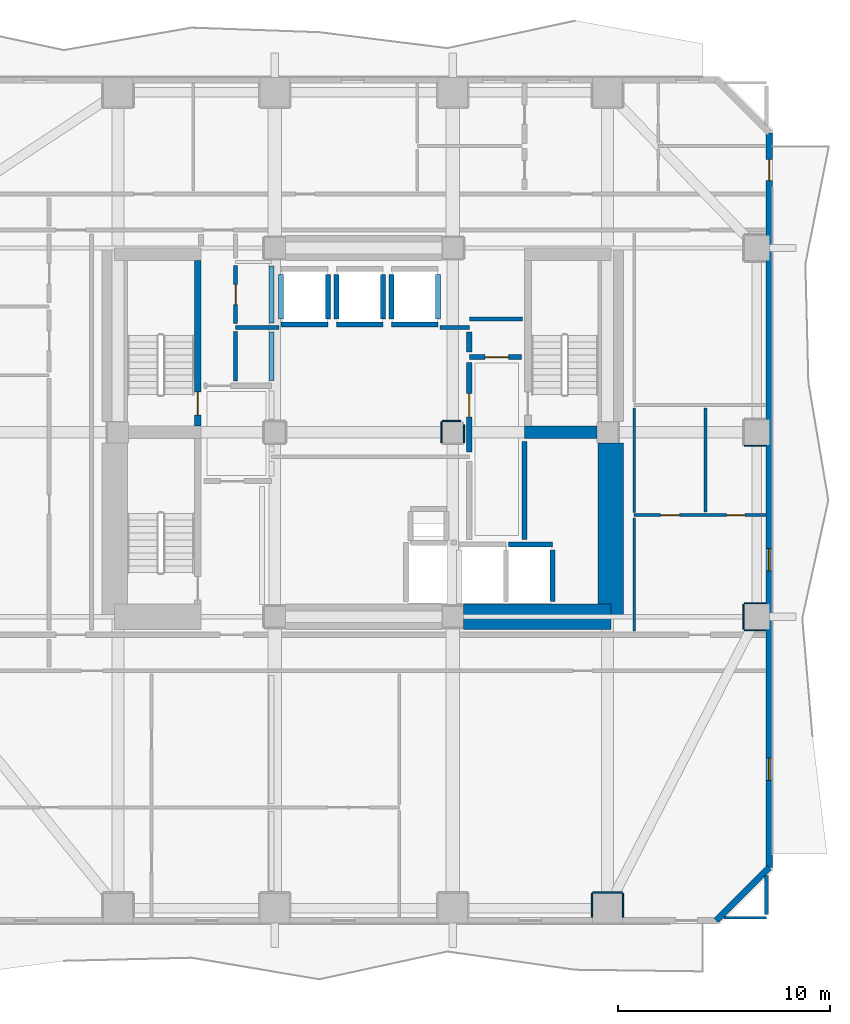
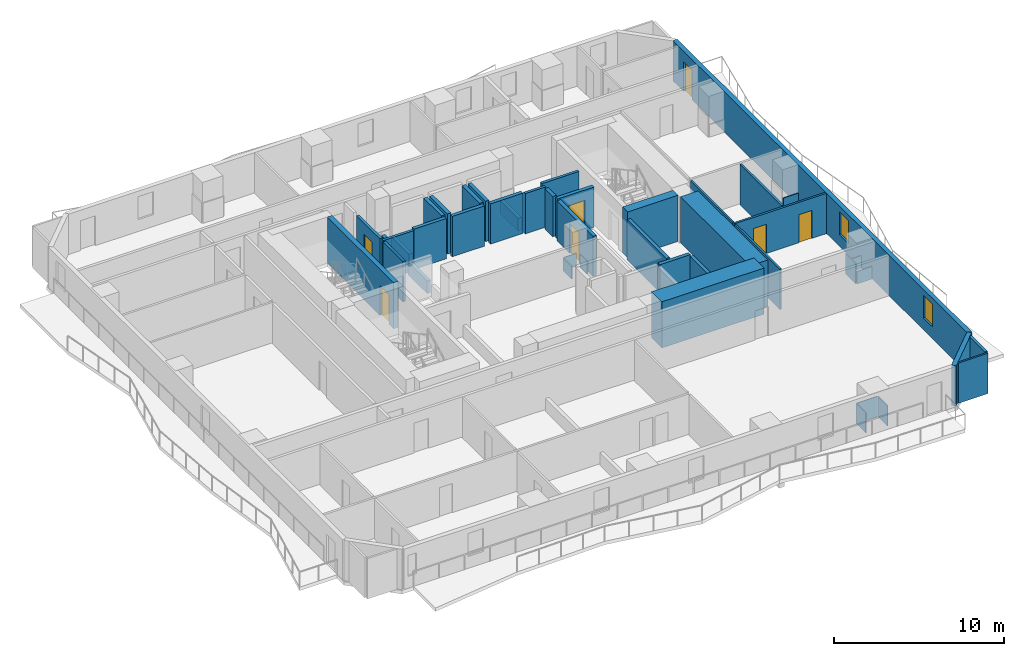
# One storey, part 4 of 10: 44 walls, 7 doors, 2 windows, 9 openings.
"""IFC4 building model written with IfcOpenShell, lengths in metres."""

from ifc_helpers import new_model, si_unit, direction, frame, frame_2d, origin, place, context, subcontext, project, spatial, rectangle, extrude, material, layer, layer_set, type_object, element, fill, save


model = new_model("IFC4")

# Units and contexts
model_context = context("Model", 3, precision=1e-05, world=origin(), true_north=direction((0.0, 1.0)))
body_context = subcontext(model_context, "Body", "Model", "MODEL_VIEW")
ifc_project = project(units=[si_unit("LENGTHUNIT", "METRE"), si_unit("AREAUNIT", "SQUARE_METRE"), si_unit("VOLUMEUNIT", "CUBIC_METRE"), si_unit("PLANEANGLEUNIT", "RADIAN"), si_unit("MASSUNIT", "GRAM", prefix="KILO")], contexts=[model_context])

# Site, building, storey
site_placement = place(None, origin())
site = spatial("IfcSite", under=ifc_project, at=site_placement, CompositionType="ELEMENT")
building_placement = place(site_placement, origin())
building = spatial("IfcBuilding", under=site, at=building_placement, Name="Solanera Arch Residences", CompositionType="ELEMENT")
storey_placement = place(building_placement, frame((0.0, 0.0, 38.60009765625)))
storey = spatial("IfcBuildingStorey", under=building, at=storey_placement, Name="L10", CompositionType="ELEMENT", Elevation=38.60009765625)

# Walls
ifc_material_1 = material(Name="Fire-Rated Gypsum Stud Partition", Category="gypsum")
ifc_layer_1 = layer(ifc_material_1, 0.06005859375)
ifc_layer_set_1 = layer_set([ifc_layer_1], Name="Fire-Rated Gypsum Stud Partition")
wall_type_1 = type_object("IfcWallType", Name="Column Acoustic Furring Wall 60", PredefinedType="PARTITIONING", material=ifc_layer_set_1)
wall_1_placement = place(storey_placement, frame((28.699951171875, 31.23193359375, 0.0), z_axis=(0.0, 0.0, 1.0), x_axis=(1.0, 0.0, 0.0)))
element("IfcWall", 1, at=wall_1_placement, inside=storey, type_object=wall_type_1, Name="L10 Column Furring 8N", PredefinedType="PARTITIONING", context=body_context, shape_type="SweptSolid", body=[
    extrude(rectangle(XDim=0.87109375, YDim=0.06005859375, at=frame_2d((0.435546875, 0.0))), origin(), (0.0, 0.0, 1.0), 0.90478515625),
])
wall_2_placement = place(storey_placement, frame((28.66796875, 30.199951171875, 0.0), z_axis=(0.0, 0.0, 1.0), x_axis=(0.0, 1.0, 0.0)))
element("IfcWall", 2, at=wall_2_placement, inside=storey, type_object=wall_type_1, Name="L10 Column Furring 8W", PredefinedType="PARTITIONING", context=body_context, shape_type="SweptSolid", body=[
    extrude(rectangle(XDim=1.0, YDim=0.06005859375, at=frame_2d((0.5, 0.0))), origin(), (0.0, 0.0, 1.0), 0.90478515625),
])
wall_3_placement = place(storey_placement, frame((29.73193359375, 30.199951171875, 0.0), z_axis=(0.0, 0.0, 1.0), x_axis=(0.0, 1.0, 0.0)))
element("IfcWall", 3, at=wall_3_placement, inside=storey, type_object=wall_type_1, Name="L10 Column Furring 8E", PredefinedType="PARTITIONING", context=body_context, shape_type="SweptSolid", body=[
    extrude(rectangle(XDim=0.85205078125, YDim=0.06005859375, at=frame_2d((0.426025390625, 0.0))), origin(), (0.0, 0.0, 1.0), 0.90478515625),
])
wall_4_placement = place(storey_placement, frame((35.800048828125, 8.98193359375, 0.0), z_axis=(0.0, 0.0, 1.0), x_axis=(1.0, 0.0, 0.0)))
element("IfcWall", 4, at=wall_4_placement, inside=storey, type_object=wall_type_1, Name="L10 Column Furring 15N", PredefinedType="PARTITIONING", context=body_context, shape_type="SweptSolid", body=[
    extrude(rectangle(XDim=1.39990234375, YDim=0.06005859375, at=frame_2d((0.699951171875, 0.0))), origin(), (0.0, 0.0, 1.0), 1.449951171875),
])
for number, where, z_axis, x_axis, name in (
    (5, (35.76806640625, 7.830078125, 0.0), (0.0, 0.0, 1.0), (0.0, 1.0, 0.0), "L10 Column Furring 15W"),
    (6, (37.23193359375, 7.830078125, 0.0), (0.0, 0.0, 1.0), (0.0, 1.0, 0.0), "L10 Column Furring 15E"),
):
    element("IfcWall", number, at=place(storey_placement, frame(where, z_axis=z_axis, x_axis=x_axis)), inside=storey, type_object=wall_type_1, Name=name, PredefinedType="PARTITIONING", context=body_context, shape_type="SweptSolid", body=[
        extrude(rectangle(XDim=1.119873046875, YDim=0.06005859375, at=frame_2d((0.56005859375, 0.0))), origin(), (0.0, 0.0, 1.0), 1.449951171875),
    ])
for number, where, z_axis, x_axis, name in (
    (7, (42.949951171875, 21.367919921875, 0.0), (0.0, 0.0, 1.0), (1.0, 0.0, 0.0), "L10 Column Furring 18S"),
    (8, (42.949951171875, 22.632080078125, 0.0), (0.0, 0.0, 1.0), (1.0, 0.0, 0.0), "L10 Column Furring 18N"),
):
    element("IfcWall", number, at=place(storey_placement, frame(where, z_axis=z_axis, x_axis=x_axis)), inside=storey, type_object=wall_type_1, Name=name, PredefinedType="PARTITIONING", context=body_context, shape_type="SweptSolid", body=[
        extrude(rectangle(XDim=1.02001953125, YDim=0.06005859375, at=frame_2d((0.510009765625, 0.0))), origin(), (0.0, 0.0, 1.0), 0.90478515625),
    ])
wall_5_placement = place(storey_placement, frame((42.91796875, 21.39990234375, 0.0), z_axis=(0.0, 0.0, 1.0), x_axis=(0.0, 1.0, 0.0)))
element("IfcWall", 9, at=wall_5_placement, inside=storey, type_object=wall_type_1, Name="L10 Column Furring 18W", PredefinedType="PARTITIONING", context=body_context, shape_type="SweptSolid", body=[
    extrude(rectangle(XDim=1.2001953125, YDim=0.06005859375, at=frame_2d((0.60009765625, 0.0))), origin(), (0.0, 0.0, 1.0), 1.449951171875),
])
wall_6_placement = place(storey_placement, frame((42.949951171875, 30.068115234375, 0.0), z_axis=(0.0, 0.0, 1.0), x_axis=(1.0, 0.0, 0.0)))
element("IfcWall", 10, at=wall_6_placement, inside=storey, type_object=wall_type_1, Name="L10 Column Furring 20S", PredefinedType="PARTITIONING", context=body_context, shape_type="SweptSolid", body=[
    extrude(rectangle(XDim=1.02001953125, YDim=0.06005859375, at=frame_2d((0.510009765625, 0.0))), origin(), (0.0, 0.0, 1.0), 0.90478515625),
])
ifc_material_2 = material(Name="Concrete C55/67 (f'c = 60 MPa)", Category="concrete")
ifc_layer_2 = layer(ifc_material_2, 1.199951171875)
ifc_layer_set_2 = layer_set([ifc_layer_2], Name="Concrete C55/67 (f'c = 60 MPa)")
wall_type_2 = type_object("IfcWallType", Name="Core Shear Wall CW-1200", PredefinedType="SHEAR", material=ifc_layer_set_2)
wall_7_placement = place(storey_placement, frame((36.659912109375, 22.0, 0.0), z_axis=(0.0, 0.0, 1.0), x_axis=(0.0, 1.0, 0.0)))
element("IfcWall", 11, at=wall_7_placement, inside=storey, type_object=wall_type_2, Name="L10 East Core South Shear Wall", PredefinedType="SHEAR", context=body_context, shape_type="SweptSolid", body=[
    extrude(rectangle(XDim=8.195068359375, YDim=1.199951171875, at=frame_2d((4.09765625, 0.0))), origin(), (0.0, 0.0, 1.0), 3.31982421875),
])
wall_8_placement = place(storey_placement, frame((29.705078125, 22.0, 0.0), z_axis=(0.0, 0.0, 1.0), x_axis=(1.0, 0.0, 0.0)))
element("IfcWall", 12, at=wall_8_placement, inside=storey, type_object=wall_type_2, Name="L10 South-East Core Shear Wall", PredefinedType="SHEAR", context=body_context, shape_type="SweptSolid", body=[
    extrude(rectangle(XDim=6.954833984375, YDim=1.199951171875, at=frame_2d((3.4775390625, 0.0))), origin(), (0.0, 0.0, 1.0), 3.31982421875),
])

# Wall, opening, door
ifc_material_3 = material(Name="Concrete C40/50 (f'c = 45 MPa)", Category="concrete")
ifc_layer_3 = layer(ifc_material_3, 0.320068359375)
ifc_layer_set_3 = layer_set([ifc_layer_3], Name="Concrete C40/50 (f'c = 45 MPa)")
wall_type_3 = type_object("IfcWallType", Name="Core Shear Wall CW-320", PredefinedType="SHEAR", material=ifc_layer_set_3)
wall_9_placement = place(storey_placement, frame((17.159912109375, 31.0, 0.0), z_axis=(0.0, 0.0, 1.0), x_axis=(0.0, 1.0, 0.0)))
wall_9 = element("IfcWall", 13, at=wall_9_placement, inside=storey, type_object=wall_type_3, Name="L10 Stair ST-T1 East Shear Wall", PredefinedType="SHEAR", context=body_context, shape_type="SweptSolid", body=[
    extrude(rectangle(XDim=7.800048828125, YDim=0.320068359375, at=frame_2d((3.89990234375, 0.0))), origin(), (0.0, 0.0, 1.0), 3.31982421875),
])
opening_1_placement = place(wall_9_placement, frame((0.510009765625, 0.0, 0.0)))
opening_1 = element("IfcOpeningElement", 14, at=opening_1_placement, cuts=wall_9, Name="Opening DF-01", PredefinedType="OPENING", context=body_context, shape_type="SweptSolid", body=[
    extrude(rectangle(XDim=1.10009765625, YDim=2.14990234375, at=frame_2d((0.550048828125, 1.074951171875))), frame((0.0, 0.169921875, 0.0), z_axis=(0.0, -1.0, 0.0), x_axis=(1.0, 0.0, 0.0)), (0.0, 0.0, 1.0), 0.3401),
])
ifc_material_4 = material(Name="Fire-Rated Architectural Hardwood", Category="wood")
door_type_1 = type_object("IfcDoorType", Name="Stair Exit Fire Door DF-01", OperationType="NOTDEFINED", PredefinedType="DOOR", material=ifc_material_4)
door_1_placement = place(opening_1_placement, origin())
door_1 = element("IfcDoor", 15, at=door_1_placement, inside=storey, type_object=door_type_1, Name="DR-L10-STAIR-ST-T1", OperationType="SINGLE_SWING_RIGHT", OverallHeight=2.14990234375, OverallWidth=1.10009765625, PredefinedType="DOOR", context=body_context, shape_type="SweptSolid", body=[
    extrude(rectangle(XDim=1.10009765625, YDim=2.14990234375, at=frame_2d((0.550048828125, 1.074951171875))), frame((0.0, 0.02490234375, 0.0), z_axis=(0.0, -1.0, 0.0), x_axis=(1.0, 0.0, 0.0)), (0.0, 0.0, 1.0), 0.050048828125),
])
fill(opening_1, door_1)

# Walls
ifc_material_5 = material(Name="Concrete C40/50 (f'c = 45 MPa)", Category="concrete")
ifc_layer_4 = layer(ifc_material_5, 0.60009765625)
ifc_layer_set_4 = layer_set([ifc_layer_4], Name="Concrete C40/50 (f'c = 45 MPa)")
wall_type_4 = type_object("IfcWallType", Name="Core Shear Wall CW-600", PredefinedType="SHEAR", material=ifc_layer_set_4)
wall_10_placement = place(storey_placement, frame((32.580078125, 30.699951171875, 0.0), z_axis=(0.0, 0.0, 1.0), x_axis=(1.0, 0.0, 0.0)))
element("IfcWall", 16, at=wall_10_placement, inside=storey, type_object=wall_type_4, Name="L10 East Stair Far-Landing Shear Wall", PredefinedType="SHEAR", context=body_context, shape_type="SweptSolid", body=[
    extrude(rectangle(XDim=3.4150390625, YDim=0.60009765625, at=frame_2d((1.70751953125, 0.0))), origin(), (0.0, 0.0, 1.0), 3.31982421875),
])
ifc_material_6 = material(Name="Autoclaved Aerated Concrete Blockwork", Category="masonry")
ifc_layer_5 = layer(ifc_material_6, 0.179931640625)
ifc_layer_set_5 = layer_set([ifc_layer_5], Name="Autoclaved Aerated Concrete Blockwork")
wall_type_5 = type_object("IfcWallType", Name="Corridor Fire Partition 180", PredefinedType="PARTITIONING", material=ifc_layer_set_5)
wall_11_placement = place(storey_placement, frame((18.949951171875, 35.64990234375, 0.0), z_axis=(0.0, 0.0, 1.0), x_axis=(1.0, 0.0, 0.0)))
element("IfcWall", 17, at=wall_11_placement, inside=storey, type_object=wall_type_5, Name="L10 Interior Partition H8 1", PredefinedType="PARTITIONING", context=body_context, shape_type="SweptSolid", body=[
    extrude(rectangle(XDim=2.05712890625, YDim=0.179931640625, at=frame_2d((1.028564453125, 0.0))), origin(), (0.0, 0.0, 1.0), 2.89990234375),
])
wall_12_placement = place(storey_placement, frame((28.593017578125, 35.64990234375, 0.0), z_axis=(0.0, 0.0, 1.0), x_axis=(1.0, 0.0, 0.0)))
element("IfcWall", 18, at=wall_12_placement, inside=storey, type_object=wall_type_5, Name="L10 Interior Partition H8 2", PredefinedType="PARTITIONING", context=body_context, shape_type="SweptSolid", body=[
    extrude(rectangle(XDim=1.382080078125, YDim=0.179931640625, at=frame_2d((0.69091796875, 0.0))), origin(), (0.0, 0.0, 1.0), 2.89990234375),
])
wall_13_placement = place(storey_placement, frame((29.97509765625, 36.050048828125, 0.0), z_axis=(0.0, 0.0, 1.0), x_axis=(1.0, 0.0, 0.0)))
element("IfcWall", 19, at=wall_13_placement, inside=storey, type_object=wall_type_5, Name="L10 Interior Partition H9", PredefinedType="PARTITIONING", context=body_context, shape_type="SweptSolid", body=[
    extrude(rectangle(XDim=2.5048828125, YDim=0.179931640625, at=frame_2d((1.25244140625, 0.0))), origin(), (0.0, 0.0, 1.0), 2.89990234375),
])
wall_14_placement = place(storey_placement, frame((18.949951171875, 33.117919921875, 0.0), z_axis=(0.0, 0.0, 1.0), x_axis=(0.0, 1.0, 0.0)))
element("IfcWall", 20, at=wall_14_placement, inside=storey, type_object=wall_type_5, Name="L10 Interior Partition V10 1", PredefinedType="PARTITIONING", context=body_context, shape_type="SweptSolid", body=[
    extrude(rectangle(XDim=2.343994140625, YDim=0.179931640625, at=frame_2d((1.171875, 0.0))), origin(), (0.0, 0.0, 1.0), 2.89990234375),
])

# Wall, opening, door
wall_15_placement = place(storey_placement, frame((18.949951171875, 35.837890625, 0.0), z_axis=(0.0, 0.0, 1.0), x_axis=(0.0, 1.0, 0.0)))
wall_15 = element("IfcWall", 21, at=wall_15_placement, inside=storey, type_object=wall_type_5, Name="L10 Interior Partition V10 2", PredefinedType="PARTITIONING", context=body_context, shape_type="SweptSolid", body=[
    extrude(rectangle(XDim=2.744140625, YDim=0.179931640625, at=frame_2d((1.3720703125, 0.0))), origin(), (0.0, 0.0, 1.0), 2.89990234375),
])
opening_2_placement = place(wall_15_placement, frame((0.886962890625, 0.0, 0.0)))
opening_2 = element("IfcOpeningElement", 22, at=opening_2_placement, cuts=wall_15, Name="Opening DI-04", PredefinedType="OPENING", context=body_context, shape_type="SweptSolid", body=[
    extrude(rectangle(XDim=0.949951171875, YDim=2.10009765625, at=frame_2d((0.47509765625, 1.050048828125))), frame((0.0, 0.10009765625, 0.0), z_axis=(0.0, -1.0, 0.0), x_axis=(1.0, 0.0, 0.0)), (0.0, 0.0, 1.0), 0.1999),
])
ifc_material_7 = material(Name="Fire-Rated Architectural Hardwood", Category="wood")
door_type_2 = type_object("IfcDoorType", Name="Accessible Restroom Door DI-04", OperationType="NOTDEFINED", PredefinedType="DOOR", material=ifc_material_7)
door_2_placement = place(opening_2_placement, origin())
door_2 = element("IfcDoor", 23, at=door_2_placement, inside=storey, type_object=door_type_2, Name="DR-L10-IN-012", OperationType="SINGLE_SWING_LEFT", OverallHeight=2.10009765625, OverallWidth=0.949951171875, PredefinedType="DOOR", context=body_context, shape_type="SweptSolid", body=[
    extrude(rectangle(XDim=0.949951171875, YDim=2.10009765625, at=frame_2d((0.47509765625, 1.050048828125))), frame((0.0, 0.02490234375, 0.0), z_axis=(0.0, -1.0, 0.0), x_axis=(1.0, 0.0, 0.0)), (0.0, 0.0, 1.0), 0.050048828125),
])
fill(opening_2, door_2)

# Wall
wall_16_placement = place(storey_placement, frame((44.0, 7.9580078125, 0.0), z_axis=(0.0, 0.0, 1.0), x_axis=(0.0, 1.0, 0.0)))
element("IfcWall", 24, at=wall_16_placement, inside=storey, type_object=wall_type_5, Name="L10 Interior Partition V11 1", PredefinedType="PARTITIONING", context=body_context, shape_type="SweptSolid", body=[
    extrude(rectangle(XDim=1.843017578125, YDim=0.179931640625, at=frame_2d((0.92138671875, 0.0))), origin(), (0.0, 0.0, 1.0), 2.89990234375),
])

# Wall, openings, door, windows
ifc_material_8 = material(Name="Precast Concrete C35/45", Category="concrete")
ifc_layer_6 = layer(ifc_material_8, 0.300048828125)
ifc_layer_set_6 = layer_set([ifc_layer_6], Name="Precast Concrete C35/45")
wall_type_6 = type_object("IfcWallType", Name="Exterior Wall Precast Masonry-Frame 300", PredefinedType="STANDARD", material=ifc_layer_set_6)
wall_17_placement = place(storey_placement, frame((44.135009765625, 44.8349609375, 0.0), z_axis=(0.0, 0.0, 1.0), x_axis=(0.0, -1.0, 0.0)))
wall_17 = element("IfcWall", 25, at=wall_17_placement, inside=storey, type_object=wall_type_6, Name="L10 Tower Exterior Precast Masonry-Frame Wall E", PredefinedType="STANDARD", context=body_context, shape_type="SweptSolid", body=[
    extrude(rectangle(XDim=34.669921875, YDim=0.300048828125, at=frame_2d((17.3349609375, 0.0))), origin(), (0.0, 0.0, 1.0), 2.89990234375),
])
opening_3_placement = place(wall_17_placement, frame((1.2509765625, 0.0, 0.0)))
opening_3 = element("IfcOpeningElement", 26, at=opening_3_placement, cuts=wall_17, Name="Opening DB-01", PredefinedType="OPENING", context=body_context, shape_type="SweptSolid", body=[
    extrude(rectangle(XDim=1.0, YDim=2.14990234375, at=frame_2d((0.5, 1.074951171875))), frame((0.0, 0.159912109375, 0.0), z_axis=(0.0, -1.0, 0.0), x_axis=(1.0, 0.0, 0.0)), (0.0, 0.0, 1.0), 0.32),
])
opening_4_placement = place(wall_17_placement, frame((29.508056640625, 0.0, 0.85009765625)))
opening_4 = element("IfcOpeningElement", 27, at=opening_4_placement, cuts=wall_17, Name="Opening W-07", PredefinedType="OPENING", context=body_context, shape_type="SweptSolid", body=[
    extrude(rectangle(XDim=1.050048828125, YDim=1.64990234375, at=frame_2d((0.52490234375, 0.824951171875))), frame((0.0, 0.159912109375, 0.0), z_axis=(0.0, -1.0, 0.0), x_axis=(1.0, 0.0, 0.0)), (0.0, 0.0, 1.0), 0.32),
])
opening_5_placement = place(wall_17_placement, frame((19.618896484375, 0.0, 0.85009765625)))
opening_5 = element("IfcOpeningElement", 28, at=opening_5_placement, cuts=wall_17, Name="Opening W-07", PredefinedType="OPENING", context=body_context, shape_type="SweptSolid", body=[
    extrude(rectangle(XDim=1.050048828125, YDim=1.64990234375, at=frame_2d((0.52490234375, 0.824951171875))), frame((0.0, 0.159912109375, 0.0), z_axis=(0.0, -1.0, 0.0), x_axis=(1.0, 0.0, 0.0)), (0.0, 0.0, 1.0), 0.32),
])
ifc_material_9 = material(Name="Anodised Aluminium Alloy 6063-T6", Category="aluminium")
door_type_3 = type_object("IfcDoorType", Name="Glazed Balcony Swing Door DB-01", OperationType="NOTDEFINED", PredefinedType="DOOR", material=ifc_material_9)
door_3_placement = place(opening_3_placement, origin())
door_3 = element("IfcDoor", 29, at=door_3_placement, inside=storey, type_object=door_type_3, Name="DR-L10-OUT-03", OperationType="SINGLE_SWING_RIGHT", OverallHeight=2.14990234375, OverallWidth=1.0, PredefinedType="DOOR", context=body_context, shape_type="SweptSolid", body=[
    extrude(rectangle(XDim=1.0, YDim=2.14990234375, at=frame_2d((0.5, 1.074951171875))), frame((0.0, 0.02490234375, 0.0), z_axis=(0.0, -1.0, 0.0), x_axis=(1.0, 0.0, 0.0)), (0.0, 0.0, 1.0), 0.050048828125),
])
fill(opening_3, door_3)
ifc_material_10 = material(Name="Double Glazed Low-E Laminated Glass", Category="glass")
window_type = type_object("IfcWindowType", Name="Punched Window W-07", PartitioningType="SINGLE_PANEL", PredefinedType="WINDOW", material=ifc_material_10)
window_1_placement = place(opening_4_placement, origin())
window_1 = element("IfcWindow", 30, at=window_1_placement, inside=storey, type_object=window_type, Name="L10 AMN-LNG Punched Window", OverallHeight=1.64990234375, OverallWidth=1.050048828125, PartitioningType="SINGLE_PANEL", PredefinedType="WINDOW", context=body_context, shape_type="SweptSolid", body=[
    extrude(rectangle(XDim=1.050048828125, YDim=1.64990234375, at=frame_2d((0.52490234375, 0.824951171875))), frame((0.0, 0.030029296875, 0.0), z_axis=(0.0, -1.0, 0.0), x_axis=(1.0, 0.0, 0.0)), (0.0, 0.0, 1.0), 0.06005859375),
])
fill(opening_4, window_1)
window_2_placement = place(opening_5_placement, origin())
window_2 = element("IfcWindow", 31, at=window_2_placement, inside=storey, type_object=window_type, Name="L10 1003-LIV Punched Window", OverallHeight=1.64990234375, OverallWidth=1.050048828125, PartitioningType="SINGLE_PANEL", PredefinedType="WINDOW", context=body_context, shape_type="SweptSolid", body=[
    extrude(rectangle(XDim=1.050048828125, YDim=1.64990234375, at=frame_2d((0.52490234375, 0.824951171875))), frame((0.0, 0.030029296875, 0.0), z_axis=(0.0, -1.0, 0.0), x_axis=(1.0, 0.0, 0.0)), (0.0, 0.0, 1.0), 0.06005859375),
])
fill(opening_5, window_2)

# Walls
wall_18_placement = place(storey_placement, frame((44.135009765625, 10.1650390625, 0.0), z_axis=(0.0, 0.0, 1.0), x_axis=(-0.707106781187, -0.707106781187, 0.0)))
element("IfcWall", 32, at=wall_18_placement, inside=storey, type_object=wall_type_6, Name="L10 Tower Exterior Precast Masonry-Frame Wall CH5", PredefinedType="STANDARD", context=body_context, shape_type="SweptSolid", body=[
    extrude(rectangle(XDim=3.53564453125, YDim=0.300048828125, at=frame_2d((1.767822265625, 0.0))), origin(), (0.0, 0.0, 1.0), 2.89990234375),
])
ifc_material_11 = material(Name="Autoclaved Aerated Concrete Blockwork", Category="masonry")
ifc_layer_7 = layer(ifc_material_11, 0.239990234375)
ifc_layer_set_7 = layer_set([ifc_layer_7], Name="Autoclaved Aerated Concrete Blockwork")
wall_type_7 = type_object("IfcWallType", Name="Shaft Wall Fire-Rated 240", PredefinedType="PARTITIONING", material=ifc_layer_set_7)
wall_19_placement = place(storey_placement, frame((21.10009765625, 35.800048828125, 0.0), z_axis=(0.0, 0.0, 1.0), x_axis=(1.0, 0.0, 0.0)))
element("IfcWall", 33, at=wall_19_placement, inside=storey, type_object=wall_type_7, Name="L10 Lift PL-L1 Hoistway Wall S", PredefinedType="PARTITIONING", context=body_context, shape_type="SweptSolid", body=[
    extrude(rectangle(XDim=2.199951171875, YDim=0.239990234375, at=frame_2d((1.10009765625, 0.0))), origin(), (0.0, 0.0, 1.0), 2.89990234375),
])
wall_20_placement = place(storey_placement, frame((21.10009765625, 36.048095703125, 0.0), z_axis=(0.0, 0.0, 1.0), x_axis=(0.0, 1.0, 0.0)))
element("IfcWall", 34, at=wall_20_placement, inside=storey, type_object=wall_type_7, Name="L10 Lift PL-L1 Hoistway Wall W", PredefinedType="PARTITIONING", context=body_context, shape_type="SweptSolid", body=[
    extrude(rectangle(XDim=2.10400390625, YDim=0.239990234375, at=frame_2d((1.052001953125, 0.0))), origin(), (0.0, 0.0, 1.0), 0.90478515625),
])
wall_21_placement = place(storey_placement, frame((23.300048828125, 36.048095703125, 0.0), z_axis=(0.0, 0.0, 1.0), x_axis=(0.0, 1.0, 0.0)))
element("IfcWall", 35, at=wall_21_placement, inside=storey, type_object=wall_type_7, Name="L10 Lift PL-L1 Hoistway Wall E", PredefinedType="PARTITIONING", context=body_context, shape_type="SweptSolid", body=[
    extrude(rectangle(XDim=2.10400390625, YDim=0.239990234375, at=frame_2d((1.052001953125, 0.0))), origin(), (0.0, 0.0, 1.0), 2.89990234375),
])
wall_22_placement = place(storey_placement, frame((23.699951171875, 35.800048828125, 0.0), z_axis=(0.0, 0.0, 1.0), x_axis=(1.0, 0.0, 0.0)))
element("IfcWall", 36, at=wall_22_placement, inside=storey, type_object=wall_type_7, Name="L10 Lift PL-L2 Hoistway Wall S", PredefinedType="PARTITIONING", context=body_context, shape_type="SweptSolid", body=[
    extrude(rectangle(XDim=2.199951171875, YDim=0.239990234375, at=frame_2d((1.10009765625, 0.0))), origin(), (0.0, 0.0, 1.0), 2.89990234375),
])
for number, where, z_axis, x_axis, name in (
    (37, (23.699951171875, 36.048095703125, 0.0), (0.0, 0.0, 1.0), (0.0, 1.0, 0.0), "L10 Lift PL-L2 Hoistway Wall W"),
    (38, (25.89990234375, 36.048095703125, 0.0), (0.0, 0.0, 1.0), (0.0, 1.0, 0.0), "L10 Lift PL-L2 Hoistway Wall E"),
):
    element("IfcWall", number, at=place(storey_placement, frame(where, z_axis=z_axis, x_axis=x_axis)), inside=storey, type_object=wall_type_7, Name=name, PredefinedType="PARTITIONING", context=body_context, shape_type="SweptSolid", body=[
        extrude(rectangle(XDim=2.10400390625, YDim=0.239990234375, at=frame_2d((1.052001953125, 0.0))), origin(), (0.0, 0.0, 1.0), 2.89990234375),
    ])
wall_23_placement = place(storey_placement, frame((26.300048828125, 35.800048828125, 0.0), z_axis=(0.0, 0.0, 1.0), x_axis=(1.0, 0.0, 0.0)))
element("IfcWall", 39, at=wall_23_placement, inside=storey, type_object=wall_type_7, Name="L10 Lift PL-L3 Hoistway Wall S", PredefinedType="PARTITIONING", context=body_context, shape_type="SweptSolid", body=[
    extrude(rectangle(XDim=2.199951171875, YDim=0.239990234375, at=frame_2d((1.10009765625, 0.0))), origin(), (0.0, 0.0, 1.0), 2.89990234375),
])
wall_24_placement = place(storey_placement, frame((26.300048828125, 36.048095703125, 0.0), z_axis=(0.0, 0.0, 1.0), x_axis=(0.0, 1.0, 0.0)))
element("IfcWall", 40, at=wall_24_placement, inside=storey, type_object=wall_type_7, Name="L10 Lift PL-L3 Hoistway Wall W", PredefinedType="PARTITIONING", context=body_context, shape_type="SweptSolid", body=[
    extrude(rectangle(XDim=2.10400390625, YDim=0.239990234375, at=frame_2d((1.052001953125, 0.0))), origin(), (0.0, 0.0, 1.0), 2.89990234375),
])
wall_25_placement = place(storey_placement, frame((28.5, 36.048095703125, 0.0), z_axis=(0.0, 0.0, 1.0), x_axis=(0.0, 1.0, 0.0)))
element("IfcWall", 41, at=wall_25_placement, inside=storey, type_object=wall_type_7, Name="L10 Lift PL-L3 Hoistway Wall E", PredefinedType="PARTITIONING", context=body_context, shape_type="SweptSolid", body=[
    extrude(rectangle(XDim=2.10400390625, YDim=0.239990234375, at=frame_2d((1.052001953125, 0.0))), origin(), (0.0, 0.0, 1.0), 0.90478515625),
])
wall_26_placement = place(storey_placement, frame((31.827880859375, 25.39990234375, 0.0), z_axis=(0.0, 0.0, 1.0), x_axis=(1.0, 0.0, 0.0)))
element("IfcWall", 42, at=wall_26_placement, inside=storey, type_object=wall_type_7, Name="L10 Lift FFL-2 Hoistway Wall N", PredefinedType="PARTITIONING", context=body_context, shape_type="SweptSolid", body=[
    extrude(rectangle(XDim=2.072021484375, YDim=0.239990234375, at=frame_2d((1.0361328125, 0.0))), origin(), (0.0, 0.0, 1.0), 2.89990234375),
])
wall_27_placement = place(storey_placement, frame((33.89990234375, 22.72998046875, 0.0), z_axis=(0.0, 0.0, 1.0), x_axis=(0.0, 1.0, 0.0)))
element("IfcWall", 43, at=wall_27_placement, inside=storey, type_object=wall_type_7, Name="L10 Lift FFL-2 Hoistway Wall E", PredefinedType="PARTITIONING", context=body_context, shape_type="SweptSolid", body=[
    extrude(rectangle(XDim=2.422119140625, YDim=0.239990234375, at=frame_2d((1.2109375, 0.0))), origin(), (0.0, 0.0, 1.0), 2.89990234375),
])

# Wall, opening, door
wall_28_placement = place(storey_placement, frame((29.97509765625, 34.25, 0.0), z_axis=(0.0, 0.0, 1.0), x_axis=(1.0, 0.0, 0.0)))
wall_28 = element("IfcWall", 44, at=wall_28_placement, inside=storey, type_object=wall_type_7, Name="L10 Interior Partition H5", PredefinedType="PARTITIONING", context=body_context, shape_type="SweptSolid", body=[
    extrude(rectangle(XDim=2.474853515625, YDim=0.239990234375, at=frame_2d((1.2373046875, 0.0))), origin(), (0.0, 0.0, 1.0), 2.89990234375),
])
opening_6_placement = place(wall_28_placement, frame((0.751953125, 0.0, 0.0)))
opening_6 = element("IfcOpeningElement", 45, at=opening_6_placement, cuts=wall_28, Name="Opening DF-02", PredefinedType="OPENING", context=body_context, shape_type="SweptSolid", body=[
    extrude(rectangle(XDim=1.10009765625, YDim=2.14990234375, at=frame_2d((0.550048828125, 1.074951171875))), frame((0.0, 0.1298828125, 0.0), z_axis=(0.0, -1.0, 0.0), x_axis=(1.0, 0.0, 0.0)), (0.0, 0.0, 1.0), 0.26),
])
ifc_material_12 = material(Name="Fire-Rated Architectural Hardwood", Category="wood")
door_type_4 = type_object("IfcDoorType", Name="Firefighting Lobby Fire Door DF-02", OperationType="NOTDEFINED", PredefinedType="DOOR", material=ifc_material_12)
door_4_placement = place(opening_6_placement, origin())
door_4 = element("IfcDoor", 46, at=door_4_placement, inside=storey, type_object=door_type_4, Name="DR-L10-IN-007", OperationType="SINGLE_SWING_RIGHT", OverallHeight=2.14990234375, OverallWidth=1.10009765625, PredefinedType="DOOR", context=body_context, shape_type="SweptSolid", body=[
    extrude(rectangle(XDim=1.10009765625, YDim=2.14990234375, at=frame_2d((0.550048828125, 1.074951171875))), frame((0.0, 0.02490234375, 0.0), z_axis=(0.0, -1.0, 0.0), x_axis=(1.0, 0.0, 0.0)), (0.0, 0.0, 1.0), 0.050048828125),
])
fill(opening_6, door_4)

# Walls
wall_29_placement = place(storey_placement, frame((20.64990234375, 33.14794921875, 0.0), z_axis=(0.0, 0.0, 1.0), x_axis=(0.0, 1.0, 0.0)))
element("IfcWall", 47, at=wall_29_placement, inside=storey, type_object=wall_type_7, Name="L10 Interior Partition V4 4", PredefinedType="PARTITIONING", context=body_context, shape_type="SweptSolid", body=[
    extrude(rectangle(XDim=2.283935546875, YDim=0.239990234375, at=frame_2d((1.14208984375, 0.0))), origin(), (0.0, 0.0, 1.0), 0.90478515625),
])
wall_30_placement = place(storey_placement, frame((20.64990234375, 35.867919921875, 0.0), z_axis=(0.0, 0.0, 1.0), x_axis=(0.0, 1.0, 0.0)))
element("IfcWall", 48, at=wall_30_placement, inside=storey, type_object=wall_type_7, Name="L10 Interior Partition V4 5", PredefinedType="PARTITIONING", context=body_context, shape_type="SweptSolid", body=[
    extrude(rectangle(XDim=2.68408203125, YDim=0.239990234375, at=frame_2d((1.342041015625, 0.0))), origin(), (0.0, 0.0, 1.0), 0.90478515625),
])

# Wall, opening, door
wall_31_placement = place(storey_placement, frame((29.97509765625, 29.76806640625, 0.0), z_axis=(0.0, 0.0, 1.0), x_axis=(0.0, 1.0, 0.0)))
wall_31 = element("IfcWall", 49, at=wall_31_placement, inside=storey, type_object=wall_type_7, Name="L10 Interior Partition V5 2", PredefinedType="PARTITIONING", context=body_context, shape_type="SweptSolid", body=[
    extrude(rectangle(XDim=4.23388671875, YDim=0.239990234375, at=frame_2d((2.116943359375, 0.0))), origin(), (0.0, 0.0, 1.0), 2.89990234375),
])
opening_7_placement = place(wall_31_placement, frame((1.662109375, 0.0, 0.0)))
opening_7 = element("IfcOpeningElement", 50, at=opening_7_placement, cuts=wall_31, Name="Opening DF-02", PredefinedType="OPENING", context=body_context, shape_type="SweptSolid", body=[
    extrude(rectangle(XDim=1.10009765625, YDim=2.14990234375, at=frame_2d((0.550048828125, 1.074951171875))), frame((0.0, 0.1298828125, 0.0), z_axis=(0.0, -1.0, 0.0), x_axis=(1.0, 0.0, 0.0)), (0.0, 0.0, 1.0), 0.26),
])
door_5_placement = place(opening_7_placement, origin())
door_5 = element("IfcDoor", 51, at=door_5_placement, inside=storey, type_object=door_type_4, Name="DR-L10-IN-006", OperationType="SINGLE_SWING_LEFT", OverallHeight=2.14990234375, OverallWidth=1.10009765625, PredefinedType="DOOR", context=body_context, shape_type="SweptSolid", body=[
    extrude(rectangle(XDim=1.10009765625, YDim=2.14990234375, at=frame_2d((0.550048828125, 1.074951171875))), frame((0.0, 0.02490234375, 0.0), z_axis=(0.0, -1.0, 0.0), x_axis=(1.0, 0.0, 0.0)), (0.0, 0.0, 1.0), 0.050048828125),
])
fill(opening_7, door_5)

# Walls
wall_32_placement = place(storey_placement, frame((29.97509765625, 34.498046875, 0.0), z_axis=(0.0, 0.0, 1.0), x_axis=(0.0, 1.0, 0.0)))
element("IfcWall", 52, at=wall_32_placement, inside=storey, type_object=wall_type_7, Name="L10 Interior Partition V5 3", PredefinedType="PARTITIONING", context=body_context, shape_type="SweptSolid", body=[
    extrude(rectangle(XDim=0.933837890625, YDim=0.239990234375, at=frame_2d((0.466796875, 0.0))), origin(), (0.0, 0.0, 1.0), 2.89990234375),
])
wall_33_placement = place(storey_placement, frame((32.580078125, 25.64794921875, 0.0), z_axis=(0.0, 0.0, 1.0), x_axis=(0.0, 1.0, 0.0)))
element("IfcWall", 53, at=wall_33_placement, inside=storey, type_object=wall_type_7, Name="L10 Interior Partition V6", PredefinedType="PARTITIONING", context=body_context, shape_type="SweptSolid", body=[
    extrude(rectangle(XDim=4.6220703125, YDim=0.239990234375, at=frame_2d((2.31103515625, 0.0))), origin(), (0.0, 0.0, 1.0), 2.89990234375),
])
ifc_material_13 = material(Name="Fire-Rated Gypsum Stud Partition", Category="gypsum")
ifc_layer_8 = layer(ifc_material_13, 0.1201171875)
ifc_layer_set_8 = layer_set([ifc_layer_8], Name="Fire-Rated Gypsum Stud Partition")
wall_type_8 = type_object("IfcWallType", Name="Unit Drywall Partition 120", PredefinedType="PARTITIONING", material=ifc_layer_set_8)
wall_34_placement = place(storey_placement, frame((41.9990234375, 7.800048828125, 0.0), z_axis=(0.0, 0.0, 1.0), x_axis=(1.0, 0.0, 0.0)))
element("IfcWall", 54, at=wall_34_placement, inside=storey, type_object=wall_type_8, Name="L10 Interior Partition H19 2", PredefinedType="PARTITIONING", context=body_context, shape_type="SweptSolid", body=[
    extrude(rectangle(XDim=2.0009765625, YDim=0.1201171875, at=frame_2d((1.00048828125, 0.0))), origin(), (0.0, 0.0, 1.0), 2.89990234375),
])
wall_35_placement = place(storey_placement, frame((37.75, 21.337890625, 0.0), z_axis=(0.0, 0.0, 1.0), x_axis=(0.0, 1.0, 0.0)))
element("IfcWall", 55, at=wall_35_placement, inside=storey, type_object=wall_type_8, Name="L10 Interior Partition V21 1", PredefinedType="PARTITIONING", context=body_context, shape_type="SweptSolid", body=[
    extrude(rectangle(XDim=5.316162109375, YDim=0.1201171875, at=frame_2d((2.658203125, 0.0))), origin(), (0.0, 0.0, 1.0), 2.89990234375),
])
wall_36_placement = place(storey_placement, frame((37.75, 26.929931640625, 0.0), z_axis=(0.0, 0.0, 1.0), x_axis=(0.0, 1.0, 0.0)))
element("IfcWall", 56, at=wall_36_placement, inside=storey, type_object=wall_type_8, Name="L10 Interior Partition V21 2", PredefinedType="PARTITIONING", context=body_context, shape_type="SweptSolid", body=[
    extrude(rectangle(XDim=4.93212890625, YDim=0.1201171875, at=frame_2d((2.466064453125, 0.0))), origin(), (0.0, 0.0, 1.0), 2.89990234375),
])

# Wall, openings, doors
ifc_material_14 = material(Name="Autoclaved Aerated Concrete Blockwork", Category="masonry")
ifc_layer_9 = layer(ifc_material_14, 0.139892578125)
ifc_layer_set_9 = layer_set([ifc_layer_9], Name="Autoclaved Aerated Concrete Blockwork")
wall_type_9 = type_object("IfcWallType", Name="Wet-Room Partition 140", PredefinedType="PARTITIONING", material=ifc_layer_set_9)
wall_37_placement = place(storey_placement, frame((37.75, 26.7919921875, 0.0), z_axis=(0.0, 0.0, 1.0), x_axis=(1.0, 0.0, 0.0)))
wall_37 = element("IfcWall", 57, at=wall_37_placement, inside=storey, type_object=wall_type_9, Name="L10 Interior Partition H13", PredefinedType="PARTITIONING", context=body_context, shape_type="SweptSolid", body=[
    extrude(rectangle(XDim=6.222900390625, YDim=0.139892578125, at=frame_2d((3.111328125, 0.0))), origin(), (0.0, 0.0, 1.0), 2.89990234375),
])
opening_8_placement = place(wall_37_placement, frame((1.25, 0.0, 0.0)))
opening_8 = element("IfcOpeningElement", 58, at=opening_8_placement, cuts=wall_37, Name="Opening DI-02", PredefinedType="OPENING", context=body_context, shape_type="SweptSolid", body=[
    extrude(rectangle(XDim=0.89990234375, YDim=2.10009765625, at=frame_2d((0.449951171875, 1.050048828125))), frame((0.0, 0.079833984375, 0.0), z_axis=(0.0, -1.0, 0.0), x_axis=(1.0, 0.0, 0.0)), (0.0, 0.0, 1.0), 0.1599),
])
opening_9_placement = place(wall_37_placement, frame((4.3701171875, 0.0, 0.0)))
opening_9 = element("IfcOpeningElement", 59, at=opening_9_placement, cuts=wall_37, Name="Opening DI-05", PredefinedType="OPENING", context=body_context, shape_type="SweptSolid", body=[
    extrude(rectangle(XDim=0.860107421875, YDim=2.02001953125, at=frame_2d((0.43017578125, 1.010009765625))), frame((0.0, 0.079833984375, 0.0), z_axis=(0.0, -1.0, 0.0), x_axis=(1.0, 0.0, 0.0)), (0.0, 0.0, 1.0), 0.1599),
])
ifc_material_15 = material(Name="Fire-Rated Architectural Hardwood", Category="wood")
door_type_5 = type_object("IfcDoorType", Name="Bathroom Swing Door DI-05", OperationType="NOTDEFINED", PredefinedType="DOOR", material=ifc_material_15)
door_6_placement = place(opening_9_placement, origin())
door_6 = element("IfcDoor", 60, at=door_6_placement, inside=storey, type_object=door_type_5, Name="DR-L10-IN-034", OperationType="SINGLE_SWING_LEFT", OverallHeight=2.02001953125, OverallWidth=0.860107421875, PredefinedType="DOOR", context=body_context, shape_type="SweptSolid", body=[
    extrude(rectangle(XDim=0.860107421875, YDim=2.02001953125, at=frame_2d((0.43017578125, 1.010009765625))), frame((0.0, 0.02490234375, 0.0), z_axis=(0.0, -1.0, 0.0), x_axis=(1.0, 0.0, 0.0)), (0.0, 0.0, 1.0), 0.050048828125),
])
fill(opening_9, door_6)
ifc_material_16 = material(Name="Fire-Rated Architectural Hardwood", Category="wood")
door_type_6 = type_object("IfcDoorType", Name="Suite Room Swing Door DI-02", OperationType="NOTDEFINED", PredefinedType="DOOR", material=ifc_material_16)
door_7_placement = place(opening_8_placement, origin())
door_7 = element("IfcDoor", 61, at=door_7_placement, inside=storey, type_object=door_type_6, Name="DR-L10-IN-033", OperationType="SINGLE_SWING_RIGHT", OverallHeight=2.10009765625, OverallWidth=0.89990234375, PredefinedType="DOOR", context=body_context, shape_type="SweptSolid", body=[
    extrude(rectangle(XDim=0.89990234375, YDim=2.10009765625, at=frame_2d((0.449951171875, 1.050048828125))), frame((0.0, 0.02490234375, 0.0), z_axis=(0.0, -1.0, 0.0), x_axis=(1.0, 0.0, 0.0)), (0.0, 0.0, 1.0), 0.050048828125),
])
fill(opening_8, door_7)

# Wall
wall_38_placement = place(storey_placement, frame((41.125, 26.93994140625, 0.0), z_axis=(0.0, 0.0, 1.0), x_axis=(0.0, 1.0, 0.0)))
element("IfcWall", 62, at=wall_38_placement, inside=storey, type_object=wall_type_9, Name="L10 Interior Partition V17", PredefinedType="PARTITIONING", context=body_context, shape_type="SweptSolid", body=[
    extrude(rectangle(XDim=4.912109375, YDim=0.139892578125, at=frame_2d((2.4560546875, 0.0))), origin(), (0.0, 0.0, 1.0), 2.89990234375),
])

save(model, "model.ifc")
